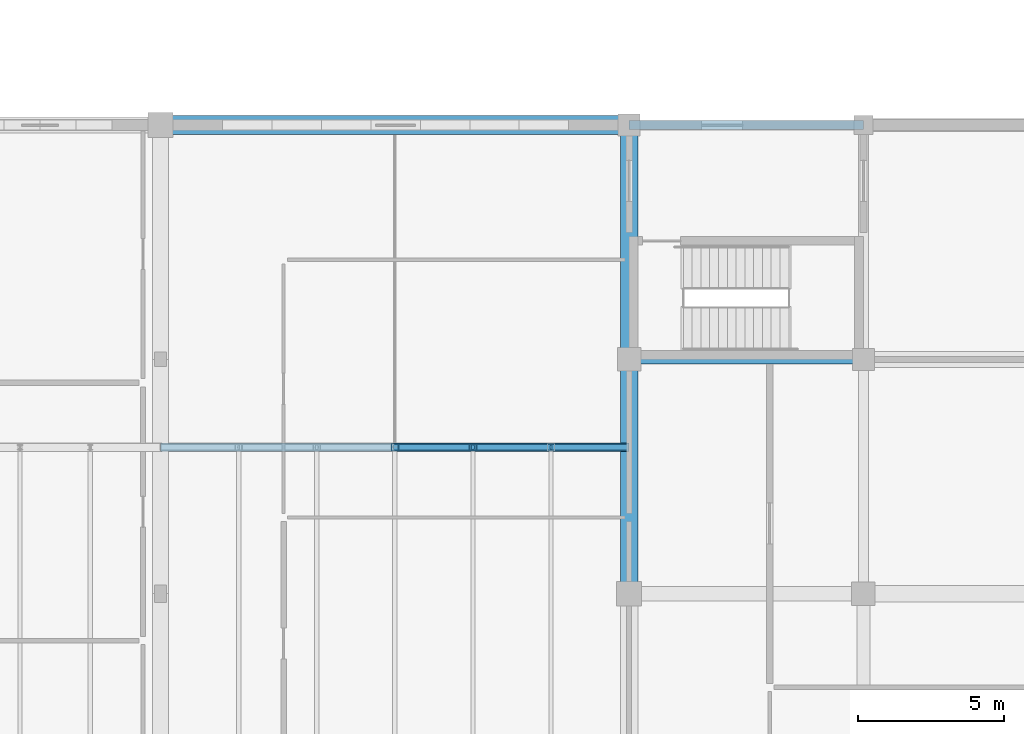
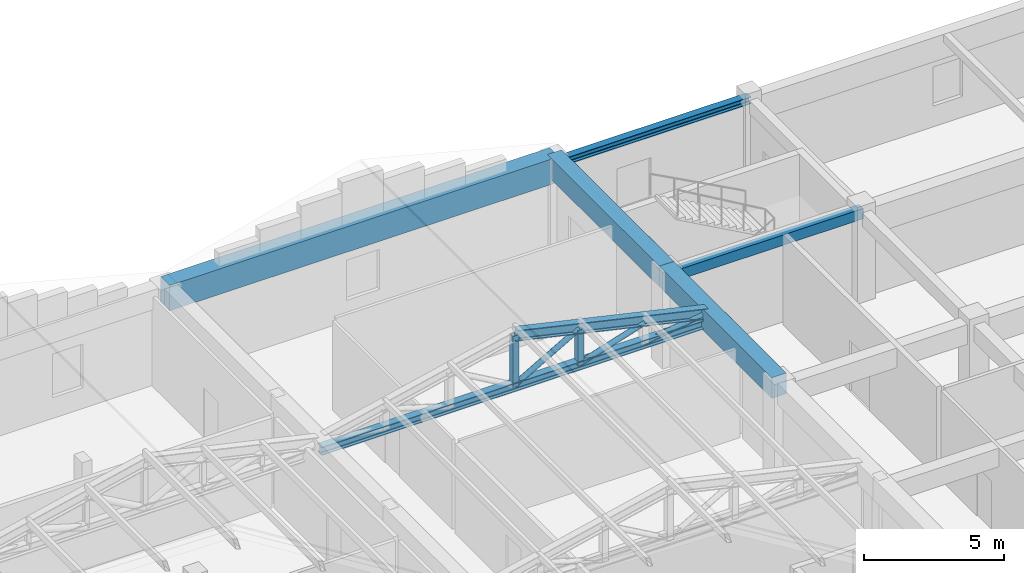
# One storey, part 8 of 35: 7 members, 5 beams.
"""IFC4 building model written with IfcOpenShell, lengths in metres."""

from ifc_helpers import new_model, si_unit, direction, frame, origin, origin_2d, place, context, subcontext, project, spatial, rectangle, hollow_rectangle, hollow_circle, i_section, extrude, material, material_profile, profile_set, type_object, element, save


model = new_model("IFC4")

# Units and contexts
model_context = context("Model", 3, precision=1e-05, world=origin(), true_north=direction((0.0, 1.0)))
body_context = subcontext(model_context, "Body", "Model", "MODEL_VIEW")
ifc_project = project(units=[si_unit("LENGTHUNIT", "METRE"), si_unit("AREAUNIT", "SQUARE_METRE"), si_unit("VOLUMEUNIT", "CUBIC_METRE"), si_unit("PLANEANGLEUNIT", "RADIAN"), si_unit("MASSUNIT", "GRAM", prefix="KILO")], contexts=[model_context])

# Site, building, storey
site_placement = place(None, origin())
site = spatial("IfcSite", under=ifc_project, at=site_placement, CompositionType="ELEMENT")
building_placement = place(site_placement, origin())
building = spatial("IfcBuilding", under=site, at=building_placement, Name="Vellmiral Cinema and Media Centre", CompositionType="ELEMENT")
storey_placement = place(building_placement, frame((0.0, 0.0, 15.60009765625)))
storey = spatial("IfcBuildingStorey", under=building, at=storey_placement, Name="L03", CompositionType="ELEMENT", Elevation=15.60009765625)

# Beams
ifc_material_1 = material(Name="Concrete C40/50", Category="concrete")
ifc_material_profile_1 = material_profile(ifc_material_1, rectangle(XDim=0.300048828125, YDim=0.449951171875, at=origin_2d()), Name="RC 300x450")
ifc_profile_set_1 = profile_set([ifc_material_profile_1], Name="Concrete C40/50")
beam_type_1 = type_object("IfcBeamType", Name="BM-RC-300x450", PredefinedType="BEAM", material=ifc_profile_set_1)
beam_1_placement = place(storey_placement, frame((78.39990234375, 87.199951171875, 3.669921875), z_axis=(1.0, 0.0, 0.0), x_axis=(0.0, 1.0, 0.0)))
element("IfcBeam", 1, at=beam_1_placement, inside=storey, type_object=beam_type_1, Name="Grid Beam L03-X046", PredefinedType="BEAM", context=body_context, shape_type="SweptSolid", body=[
    extrude(rectangle(XDim=0.300048828125, YDim=0.449951171875, at=origin_2d()), origin(), (0.0, 0.0, 1.0), 8.0),
])
ifc_material_2 = material(Name="Concrete C40/50", Category="concrete")
ifc_material_profile_2 = material_profile(ifc_material_2, rectangle(XDim=0.60009765625, YDim=0.89990234375, at=origin_2d()), Name="RC 600x900")
ifc_profile_set_2 = profile_set([ifc_material_profile_2], Name="Concrete C40/50")
beam_type_2 = type_object("IfcBeamType", Name="RING-BM-600x900", PredefinedType="BEAM", material=ifc_profile_set_2)
for number, where, z_axis, x_axis, name in (
    (2, (78.39990234375, 79.199951171875, 3.75), (0.0, 1.0, 0.0), (-1.0, 0.0, 0.0), "Central Editing Hall East Barrel Vault Ring Beam 07"),
    (3, (78.39990234375, 87.199951171875, 3.75), (0.0, 1.0, 0.0), (-1.0, 0.0, 0.0), "Central Editing Hall East Barrel Vault Ring Beam 08"),
):
    element("IfcBeam", number, at=place(storey_placement, frame(where, z_axis=z_axis, x_axis=x_axis)), inside=storey, type_object=beam_type_2, Name=name, PredefinedType="BEAM", context=body_context, shape_type="SweptSolid", body=[
        extrude(rectangle(XDim=0.60009765625, YDim=0.89990234375, at=origin_2d()), origin(), (0.0, 0.0, 1.0), 8.0),
    ])
ifc_material_3 = material(Name="Concrete C40/50", Category="concrete")
ifc_material_profile_3 = material_profile(ifc_material_3, rectangle(XDim=0.64990234375, YDim=1.10009765625, at=origin_2d()), Name="RC 650x1100")
ifc_profile_set_3 = profile_set([ifc_material_profile_3], Name="Concrete C40/50")
beam_type_3 = type_object("IfcBeamType", Name="RING-BMG-650x1100", PredefinedType="BEAM", material=ifc_profile_set_3)
beam_2_placement = place(storey_placement, frame((62.39990234375, 95.199951171875, 3.64990234375), z_axis=(1.0, 0.0, 0.0), x_axis=(0.0, 1.0, 0.0)))
element("IfcBeam", 4, at=beam_2_placement, inside=storey, type_object=beam_type_3, Name="Central Editing Hall East Barrel Vault Ring Beam 02", PredefinedType="BEAM", context=body_context, shape_type="SweptSolid", body=[
    extrude(rectangle(XDim=0.64990234375, YDim=1.10009765625, at=origin_2d()), origin(), (0.0, 0.0, 1.0), 16.0),
])
ifc_material_4 = material(Name="Steel S355", Category="steel")
ifc_material_profile_4 = material_profile(ifc_material_4, i_section(OverallWidth=0.300048828125, OverallDepth=0.300048828125, WebThickness=0.010986328125, FlangeThickness=0.01904296875, FilletRadius=0.027099609375, at=origin_2d()), Name="HEB 300")
ifc_profile_set_4 = profile_set([ifc_material_profile_4], Name="Steel S355")
beam_type_4 = type_object("IfcBeamType", Name="SBM-HEB300", PredefinedType="SPANDREL", material=ifc_profile_set_4)
beam_3_placement = place(storey_placement, frame((78.39990234375, 95.199951171875, 3.744873046875), z_axis=(1.0, 0.0, 0.0), x_axis=(0.0, 1.0, 0.0)))
element("IfcBeam", 5, at=beam_3_placement, inside=storey, type_object=beam_type_4, Name="Grid Beam L03-X056", PredefinedType="SPANDREL", context=body_context, shape_type="SweptSolid", body=[
    extrude(i_section(OverallWidth=0.300048828125, OverallDepth=0.300048828125, WebThickness=0.010986328125, FlangeThickness=0.01904296875, FilletRadius=0.027099609375, at=origin_2d()), origin(), (0.0, 0.0, 1.0), 8.0),
])

# Members
ifc_material_5 = material(Name="Steel S355", Category="steel")
ifc_material_profile_5 = material_profile(ifc_material_5, hollow_circle(Radius=0.109619140625, WallThickness=0.010009765625, at=origin_2d()), Name="CHS 219.1x10.0")
ifc_profile_set_5 = profile_set([ifc_material_profile_5], Name="Steel S355")
member_type_1 = type_object("IfcMemberType", Name="TBR-CHS219", PredefinedType="BRACE", material=ifc_profile_set_5)
member_1_placement = place(storey_placement, frame((70.39990234375, 84.199951171875, 3.5498046875), z_axis=(0.867479706917, 0.0, 0.497472570185), x_axis=(0.0, 1.0, 0.0)))
element("IfcMember", 6, at=member_1_placement, inside=storey, type_object=member_type_1, Name="Roof Truss TR-08B.3 Diagonal 4", PredefinedType="BRACE", context=body_context, shape_type="SweptSolid", body=[
    extrude(hollow_circle(Radius=0.109619140625, WallThickness=0.010009765625, at=origin_2d()), origin(), (0.0, 0.0, 1.0), 3.07421875),
])
member_2_placement = place(storey_placement, frame((73.066650390625, 84.199951171875, 3.5498046875), z_axis=(0.953842302692, 0.0, 0.300307944608), x_axis=(0.0, 1.0, 0.0)))
element("IfcMember", 7, at=member_2_placement, inside=storey, type_object=member_type_1, Name="Roof Truss TR-08B.3 Diagonal 5", PredefinedType="BRACE", context=body_context, shape_type="SweptSolid", body=[
    extrude(hollow_circle(Radius=0.109619140625, WallThickness=0.010009765625, at=origin_2d()), origin(), (0.0, 0.0, 1.0), 2.7958984375),
])
member_3_placement = place(storey_placement, frame((75.7333984375, 84.199951171875, 3.5498046875), z_axis=(0.989204434895, 0.0, 0.146542096288), x_axis=(0.0, 1.0, 0.0)))
element("IfcMember", 8, at=member_3_placement, inside=storey, type_object=member_type_1, Name="Roof Truss TR-08B.3 Diagonal 6", PredefinedType="BRACE", context=body_context, shape_type="SweptSolid", body=[
    extrude(hollow_circle(Radius=0.109619140625, WallThickness=0.010009765625, at=origin_2d()), origin(), (0.0, 0.0, 1.0), 2.695556640625),
])
ifc_material_6 = material(Name="Steel S355", Category="steel")
ifc_material_profile_6 = material_profile(ifc_material_6, hollow_rectangle(XDim=0.25, YDim=0.25, WallThickness=0.012451171875, at=origin_2d()), Name="SHS 250x250x12.5")
ifc_profile_set_6 = profile_set([ifc_material_profile_6], Name="Steel S355")
member_type_2 = type_object("IfcMemberType", Name="TBR-SHS250", PredefinedType="BRACE", material=ifc_profile_set_6)
member_4_placement = place(storey_placement, frame((70.39990234375, 84.199951171875, 3.5498046875), z_axis=(0.0, 0.0, 1.0), x_axis=(1.0, 0.0, 0.0)))
element("IfcMember", 9, at=member_4_placement, inside=storey, type_object=member_type_2, Name="Roof Truss TR-08B.3 Post 3", PredefinedType="BRACE", context=body_context, shape_type="SweptSolid", body=[
    extrude(hollow_rectangle(XDim=0.25, YDim=0.25, WallThickness=0.012451171875, at=origin_2d()), origin(), (0.0, 0.0, 1.0), 2.218994140625),
])
member_5_placement = place(storey_placement, frame((73.066650390625, 84.199951171875, 3.5498046875), z_axis=(0.0, 0.0, 1.0), x_axis=(1.0, 0.0, 0.0)))
element("IfcMember", 10, at=member_5_placement, inside=storey, type_object=member_type_2, Name="Roof Truss TR-08B.3 Post 4", PredefinedType="BRACE", context=body_context, shape_type="SweptSolid", body=[
    extrude(hollow_rectangle(XDim=0.25, YDim=0.25, WallThickness=0.012451171875, at=origin_2d()), origin(), (0.0, 0.0, 1.0), 1.529296875),
])
ifc_material_7 = material(Name="Steel S355", Category="steel")
ifc_material_profile_7 = material_profile(ifc_material_7, i_section(OverallWidth=0.300048828125, OverallDepth=0.360107421875, WebThickness=0.012451171875, FlangeThickness=0.0224609375, FilletRadius=0.027099609375, at=origin_2d()), Name="HEB 360")
ifc_profile_set_7 = profile_set([ifc_material_profile_7], Name="Steel S355")
member_type_3 = type_object("IfcMemberType", Name="TCH-HEB360", PredefinedType="CHORD", material=ifc_profile_set_7)
member_6_placement = place(storey_placement, frame((62.39990234375, 84.199951171875, 3.5498046875), z_axis=(1.0, 0.0, 0.0), x_axis=(0.0, 1.0, 0.0)))
element("IfcMember", 11, at=member_6_placement, inside=storey, type_object=member_type_3, Name="Roof Truss TR-08B.3 Bottom Chord", PredefinedType="CHORD", context=body_context, shape_type="SweptSolid", body=[
    extrude(i_section(OverallWidth=0.300048828125, OverallDepth=0.360107421875, WebThickness=0.012451171875, FlangeThickness=0.0224609375, FilletRadius=0.027099609375, at=origin_2d()), origin(), (0.0, 0.0, 1.0), 16.0),
])
ifc_material_8 = material(Name="Steel S355", Category="steel")
ifc_material_profile_8 = material_profile(ifc_material_8, i_section(OverallWidth=0.300048828125, OverallDepth=0.449951171875, WebThickness=0.013916015625, FlangeThickness=0.02587890625, FilletRadius=0.027099609375, at=origin_2d()), Name="HEB 450")
ifc_profile_set_8 = profile_set([ifc_material_profile_8], Name="Steel S355")
member_type_4 = type_object("IfcMemberType", Name="TCH-HEB450", PredefinedType="CHORD", material=ifc_profile_set_8)
member_7_placement = place(storey_placement, frame((70.39990234375, 84.199951171875, 5.768798828125), z_axis=(0.974980054938, 0.0, -0.222292358107), x_axis=(0.0, 1.0, 0.0)))
element("IfcMember", 12, at=member_7_placement, inside=storey, type_object=member_type_4, Name="Roof Truss TR-08B.3 Top Chord E", PredefinedType="CHORD", context=body_context, shape_type="SweptSolid", body=[
    extrude(i_section(OverallWidth=0.300048828125, OverallDepth=0.449951171875, WebThickness=0.013916015625, FlangeThickness=0.02587890625, FilletRadius=0.027099609375, at=origin_2d()), origin(), (0.0, 0.0, 1.0), 8.205322265625),
])

save(model, "model.ifc")
